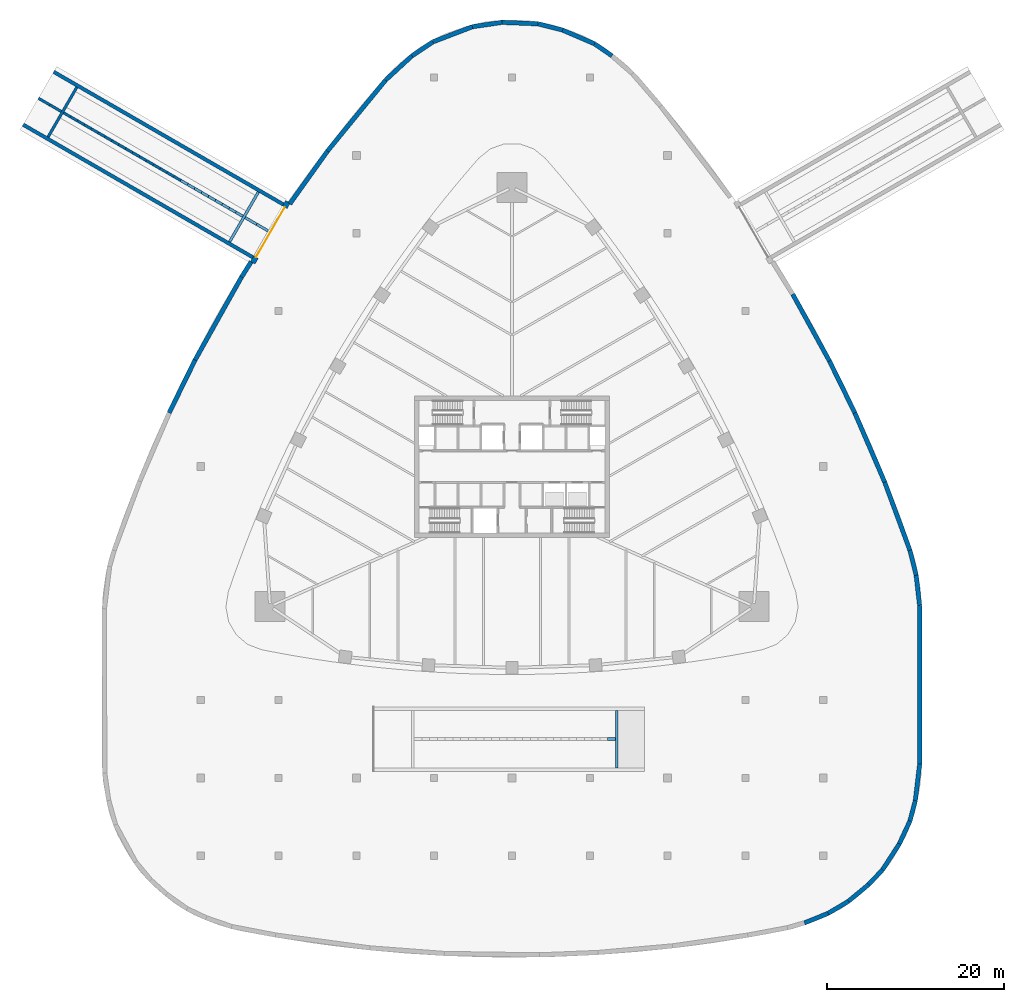
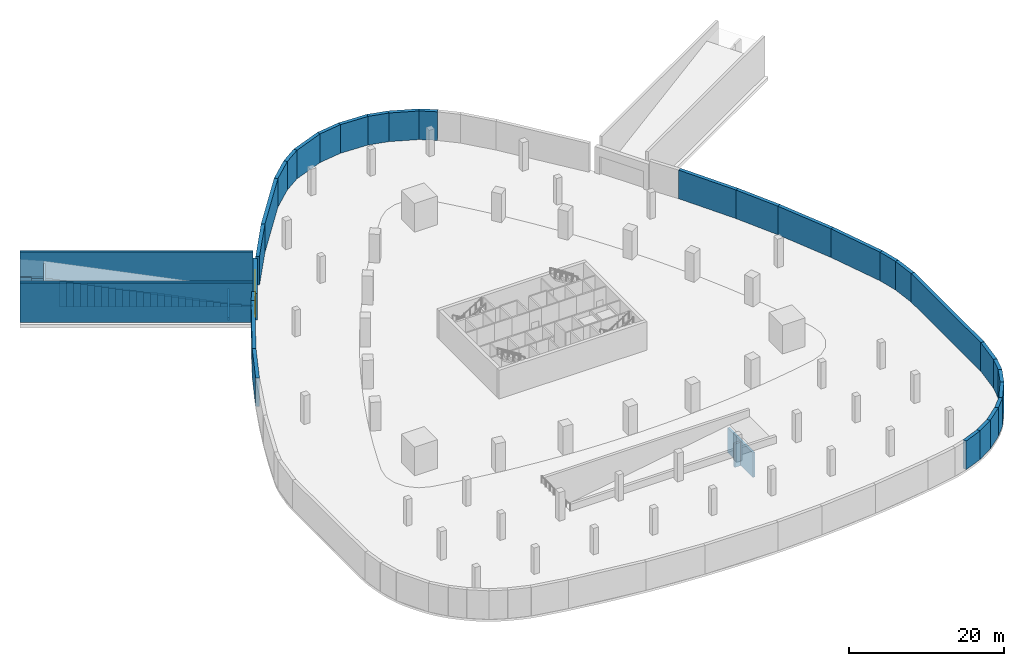
# One storey, part 6 of 10: 65 walls, 1 door, 1 opening.
"""IFC4 building model written with IfcOpenShell, lengths in metres."""

from ifc_helpers import new_model, si_unit, direction, frame, frame_2d, origin, place, context, subcontext, project, spatial, rectangle, extrude, material, layer, layer_set, type_object, element, fill, save


model = new_model("IFC4")

# Units and contexts
model_context = context("Model", 3, precision=1e-05, world=origin(), true_north=direction((0.0, 1.0)))
body_context = subcontext(model_context, "Body", "Model", "MODEL_VIEW")
ifc_project = project(units=[si_unit("LENGTHUNIT", "METRE"), si_unit("AREAUNIT", "SQUARE_METRE"), si_unit("VOLUMEUNIT", "CUBIC_METRE"), si_unit("PLANEANGLEUNIT", "RADIAN"), si_unit("MASSUNIT", "GRAM", prefix="KILO")], contexts=[model_context])

# Site, building, storey
site_placement = place(None, origin())
site = spatial("IfcSite", under=ifc_project, at=site_placement, CompositionType="ELEMENT")
building_placement = place(site_placement, origin())
building = spatial("IfcBuilding", under=site, at=building_placement, Name="Sierra Prisma Convention Tower", CompositionType="ELEMENT")
storey_placement = place(building_placement, frame((0.0, 0.0, -4.5)))
storey = spatial("IfcBuildingStorey", under=building, at=storey_placement, Name="B1", CompositionType="ELEMENT", Elevation=-4.5)

# Wall, opening, door
ifc_material_1 = material(Name="Concrete C40/50", Category="concrete")
ifc_layer_1 = layer(ifc_material_1, 0.60009765625)
ifc_layer_set_1 = layer_set([ifc_layer_1], Name="Portal wall 600")
wall_type_1 = type_object("IfcWallType", Name="Portal wall 600", PredefinedType="STANDARD", material=ifc_layer_set_1)
wall_1_placement = place(storey_placement, frame((-25.3251953125, 29.98193359375, 0.0), z_axis=(0.0, 0.0, 1.0), x_axis=(-0.49999894854, -0.866026010844, 0.0)))
wall_1 = element("IfcWall", 1, at=wall_1_placement, inside=storey, type_object=wall_type_1, Name="Car park portal wall R2", PredefinedType="STANDARD", context=body_context, shape_type="SweptSolid", body=[
    extrude(rectangle(XDim=8.0, YDim=0.60009765625, at=frame_2d((4.0, 0.0))), origin(), (0.0, 0.0, 1.0), 4.14990234375),
])
opening_placement = place(wall_1_placement, frame((0.75, 0.0, 0.0)))
opening = element("IfcOpeningElement", 2, at=opening_placement, cuts=wall_1, Name="Opening B1-D018", PredefinedType="OPENING", context=body_context, shape_type="SweptSolid", body=[
    extrude(rectangle(XDim=6.5, YDim=2.800048828125, at=frame_2d((3.25, 1.39990234375))), frame((0.0, 0.300048828125, 0.0), z_axis=(0.0, -1.0, 0.0), x_axis=(1.0, 0.0, 0.0)), (0.0, 0.0, 1.0), 0.60009765625),
])
ifc_material_2 = material(Name="Galvanised steel gate", Category="steel")
door_type = type_object("IfcDoorType", Name="Car park gate 6500 x 2800", OperationType="ROLLINGUP", PredefinedType="GATE", material=ifc_material_2)
door_placement = place(opening_placement, origin())
door = element("IfcDoor", 3, at=door_placement, inside=storey, type_object=door_type, Name="Car park gate R2", OperationType="ROLLINGUP", OverallHeight=2.800048828125, OverallWidth=6.5, PredefinedType="GATE", context=body_context, shape_type="SweptSolid", body=[
    extrude(rectangle(XDim=6.5, YDim=2.800048828125, at=frame_2d((3.25, 1.39990234375))), frame((0.0, 0.02490234375, 0.0), z_axis=(0.0, -1.0, 0.0), x_axis=(1.0, 0.0, 0.0)), (0.0, 0.0, 1.0), 0.050048828125),
])
fill(opening, door)

# Walls
ifc_material_3 = material(Name="Concrete C35/45", Category="concrete")
ifc_layer_2 = layer(ifc_material_3, 6.5)
ifc_layer_set_2 = layer_set([ifc_layer_2], Name="Ramp bearing wall 6500")
wall_type_2 = type_object("IfcWallType", Name="Ramp bearing wall 6500", PredefinedType="STANDARD", material=ifc_layer_set_2)
wall_2_placement = place(storey_placement, frame((12.0048828125, -30.800048828125, -4.5), z_axis=(0.0, 0.0, 1.0), x_axis=(-1.0, 0.0, 0.0)))
element("IfcWall", 4, at=wall_2_placement, inside=storey, type_object=wall_type_2, Name="Car park ramp R3 upper bearing wall", PredefinedType="STANDARD", context=body_context, shape_type="SweptSolid", body=[
    extrude(rectangle(XDim=0.304931640625, YDim=6.5, at=frame_2d((0.15234375, 0.0))), origin(), (0.0, 0.0, 1.0), 3.89599609375),
])
wall_3_placement = place(storey_placement, frame((-30.1787109375, 28.165283203125, -0.60009765625), z_axis=(0.0, 0.0, 1.0), x_axis=(-0.865918994041, 0.500184261807, 0.0)))
element("IfcWall", 5, at=wall_3_placement, inside=storey, type_object=wall_type_2, Name="Car park ramp R2 upper bearing wall", PredefinedType="STANDARD", context=body_context, shape_type="SweptSolid", body=[
    extrude(rectangle(XDim=0.30517578125, YDim=6.5, at=frame_2d((0.152587890625, 0.0))), origin(), (0.0, 0.0, 1.0), 0.49462890625),
])
wall_4_placement = place(storey_placement, frame((-50.7080078125, 40.017822265625, -0.60009765625), z_axis=(0.0, 0.0, 1.0), x_axis=(-0.865718564542, 0.500531084957, 0.0)))
element("IfcWall", 6, at=wall_4_placement, inside=storey, type_object=wall_type_2, Name="Car park ramp R2 lower bearing wall", PredefinedType="STANDARD", context=body_context, shape_type="SweptSolid", body=[
    extrude(rectangle(XDim=0.304931640625, YDim=6.5, at=frame_2d((0.15234375, 0.0))), origin(), (0.0, 0.0, 1.0), 4.4453125),
])
ifc_material_4 = material(Name="Concrete C35/45", Category="concrete")
ifc_layer_3 = layer(ifc_material_4, 0.300048828125)
ifc_layer_set_3 = layer_set([ifc_layer_3], Name="Ramp spine wall 300")
wall_type_3 = type_object("IfcWallType", Name="Ramp spine wall 300", PredefinedType="STANDARD", material=ifc_layer_set_3)
wall_5_placement = place(storey_placement, frame((11.699951171875, -30.800048828125, -4.5), z_axis=(0.0, 0.0, 1.0), x_axis=(-1.0, 0.0, 0.0)))
element("IfcWall", 7, at=wall_5_placement, inside=storey, type_object=wall_type_3, Name="Car park ramp R3 spine wall 1", PredefinedType="STANDARD", context=body_context, shape_type="SweptSolid", body=[
    extrude(rectangle(XDim=0.875732421875, YDim=0.300048828125, at=frame_2d((0.43798828125, 0.0))), origin(), (0.0, 0.0, 1.0), 3.69921875),
])
wall_6_placement = place(storey_placement, frame((-27.5849609375, 26.66796875, -0.60009765625), z_axis=(0.0, 0.0, 1.0), x_axis=(-0.866031096941, 0.499990139034, 0.0)))
element("IfcWall", 8, at=wall_6_placement, inside=storey, type_object=wall_type_3, Name="Car park ramp R2 spine wall 1 1", PredefinedType="STANDARD", context=body_context, shape_type="SweptSolid", body=[
    extrude(rectangle(XDim=1.5, YDim=0.300048828125, at=frame_2d((0.75, 0.0))), origin(), (0.0, 0.0, 1.0), 0.19873046875),
])
wall_7_placement = place(storey_placement, frame((-28.884033203125, 27.41796875, -0.60009765625), z_axis=(0.0, 0.0, 1.0), x_axis=(-0.866031096941, 0.499990139034, 0.0)))
element("IfcWall", 9, at=wall_7_placement, inside=storey, type_object=wall_type_3, Name="Car park ramp R2 spine wall 1 2", PredefinedType="STANDARD", context=body_context, shape_type="SweptSolid", body=[
    extrude(rectangle(XDim=1.5, YDim=0.300048828125, at=frame_2d((0.75, 0.0))), origin(), (0.0, 0.0, 1.0), 0.32373046875),
])
wall_8_placement = place(storey_placement, frame((-30.44287109375, 28.31787109375, -0.60009765625), z_axis=(0.0, 0.0, 1.0), x_axis=(-0.866081705922, 0.499902469156, 0.0)))
element("IfcWall", 10, at=wall_8_placement, inside=storey, type_object=wall_type_3, Name="Car park ramp R2 spine wall 2 1", PredefinedType="STANDARD", context=body_context, shape_type="SweptSolid", body=[
    extrude(rectangle(XDim=0.900146484375, YDim=0.300048828125, at=frame_2d((0.4501953125, 0.0))), origin(), (0.0, 0.0, 1.0), 0.49462890625),
])
wall_9_placement = place(storey_placement, frame((-31.222412109375, 28.767822265625, -0.60009765625), z_axis=(0.0, 0.0, 1.0), x_axis=(-0.865896406789, 0.500223362819, 0.0)))
element("IfcWall", 11, at=wall_9_placement, inside=storey, type_object=wall_type_3, Name="Car park ramp R2 spine wall 2 2", PredefinedType="STANDARD", context=body_context, shape_type="SweptSolid", body=[
    extrude(rectangle(XDim=0.89990234375, YDim=0.300048828125, at=frame_2d((0.449951171875, 0.0))), origin(), (0.0, 0.0, 1.0), 0.64453125),
])
wall_10_placement = place(storey_placement, frame((-32.001708984375, 29.218017578125, -0.60009765625), z_axis=(0.0, 0.0, 1.0), x_axis=(-0.866081705922, 0.499902469156, 0.0)))
element("IfcWall", 12, at=wall_10_placement, inside=storey, type_object=wall_type_3, Name="Car park ramp R2 spine wall 2 3", PredefinedType="STANDARD", context=body_context, shape_type="SweptSolid", body=[
    extrude(rectangle(XDim=0.900146484375, YDim=0.300048828125, at=frame_2d((0.4501953125, 0.0))), origin(), (0.0, 0.0, 1.0), 0.794677734375),
])
wall_11_placement = place(storey_placement, frame((-32.78125, 29.66796875, -0.60009765625), z_axis=(0.0, 0.0, 1.0), x_axis=(-0.866013897511, 0.50001992892, 0.0)))
element("IfcWall", 13, at=wall_11_placement, inside=storey, type_object=wall_type_3, Name="Car park ramp R2 spine wall 2 4", PredefinedType="STANDARD", context=body_context, shape_type="SweptSolid", body=[
    extrude(rectangle(XDim=0.89990234375, YDim=0.300048828125, at=frame_2d((0.449951171875, 0.0))), origin(), (0.0, 0.0, 1.0), 0.944580078125),
])
wall_12_placement = place(storey_placement, frame((-33.560546875, 30.117919921875, -0.60009765625), z_axis=(0.0, 0.0, 1.0), x_axis=(-0.866081705922, 0.499902469156, 0.0)))
element("IfcWall", 14, at=wall_12_placement, inside=storey, type_object=wall_type_3, Name="Car park ramp R2 spine wall 2 5", PredefinedType="STANDARD", context=body_context, shape_type="SweptSolid", body=[
    extrude(rectangle(XDim=0.900146484375, YDim=0.300048828125, at=frame_2d((0.4501953125, 0.0))), origin(), (0.0, 0.0, 1.0), 1.094482421875),
])
wall_13_placement = place(storey_placement, frame((-34.340087890625, 30.56787109375, -0.60009765625), z_axis=(0.0, 0.0, 1.0), x_axis=(-0.866013897511, 0.50001992892, 0.0)))
element("IfcWall", 15, at=wall_13_placement, inside=storey, type_object=wall_type_3, Name="Car park ramp R2 spine wall 2 6", PredefinedType="STANDARD", context=body_context, shape_type="SweptSolid", body=[
    extrude(rectangle(XDim=0.89990234375, YDim=0.300048828125, at=frame_2d((0.449951171875, 0.0))), origin(), (0.0, 0.0, 1.0), 1.24462890625),
])
wall_14_placement = place(storey_placement, frame((-35.119384765625, 31.017822265625, -0.60009765625), z_axis=(0.0, 0.0, 1.0), x_axis=(-0.865896406789, 0.500223362819, 0.0)))
element("IfcWall", 16, at=wall_14_placement, inside=storey, type_object=wall_type_3, Name="Car park ramp R2 spine wall 2 7", PredefinedType="STANDARD", context=body_context, shape_type="SweptSolid", body=[
    extrude(rectangle(XDim=0.89990234375, YDim=0.300048828125, at=frame_2d((0.449951171875, 0.0))), origin(), (0.0, 0.0, 1.0), 1.39453125),
])
wall_15_placement = place(storey_placement, frame((-35.898681640625, 31.468017578125, -0.60009765625), z_axis=(0.0, 0.0, 1.0), x_axis=(-0.866081705922, 0.499902469156, 0.0)))
element("IfcWall", 17, at=wall_15_placement, inside=storey, type_object=wall_type_3, Name="Car park ramp R2 spine wall 2 8", PredefinedType="STANDARD", context=body_context, shape_type="SweptSolid", body=[
    extrude(rectangle(XDim=0.900146484375, YDim=0.300048828125, at=frame_2d((0.4501953125, 0.0))), origin(), (0.0, 0.0, 1.0), 1.544677734375),
])
wall_16_placement = place(storey_placement, frame((-36.67822265625, 31.91796875, -0.60009765625), z_axis=(0.0, 0.0, 1.0), x_axis=(-0.866081705922, 0.499902469156, 0.0)))
element("IfcWall", 18, at=wall_16_placement, inside=storey, type_object=wall_type_3, Name="Car park ramp R2 spine wall 2 9", PredefinedType="STANDARD", context=body_context, shape_type="SweptSolid", body=[
    extrude(rectangle(XDim=0.900146484375, YDim=0.300048828125, at=frame_2d((0.4501953125, 0.0))), origin(), (0.0, 0.0, 1.0), 1.694580078125),
])
wall_17_placement = place(storey_placement, frame((-37.457763671875, 32.367919921875, -0.60009765625), z_axis=(0.0, 0.0, 1.0), x_axis=(-0.866013897511, 0.50001992892, 0.0)))
element("IfcWall", 19, at=wall_17_placement, inside=storey, type_object=wall_type_3, Name="Car park ramp R2 spine wall 2 10", PredefinedType="STANDARD", context=body_context, shape_type="SweptSolid", body=[
    extrude(rectangle(XDim=0.89990234375, YDim=0.300048828125, at=frame_2d((0.449951171875, 0.0))), origin(), (0.0, 0.0, 1.0), 1.844482421875),
])
wall_18_placement = place(storey_placement, frame((-38.237060546875, 32.81787109375, -0.60009765625), z_axis=(0.0, 0.0, 1.0), x_axis=(-0.866081705922, 0.499902469156, 0.0)))
element("IfcWall", 20, at=wall_18_placement, inside=storey, type_object=wall_type_3, Name="Car park ramp R2 spine wall 2 11", PredefinedType="STANDARD", context=body_context, shape_type="SweptSolid", body=[
    extrude(rectangle(XDim=0.900146484375, YDim=0.300048828125, at=frame_2d((0.4501953125, 0.0))), origin(), (0.0, 0.0, 1.0), 1.99462890625),
])
wall_19_placement = place(storey_placement, frame((-39.0166015625, 33.267822265625, -0.60009765625), z_axis=(0.0, 0.0, 1.0), x_axis=(-0.865896406789, 0.500223362819, 0.0)))
element("IfcWall", 21, at=wall_19_placement, inside=storey, type_object=wall_type_3, Name="Car park ramp R2 spine wall 2 12", PredefinedType="STANDARD", context=body_context, shape_type="SweptSolid", body=[
    extrude(rectangle(XDim=0.89990234375, YDim=0.300048828125, at=frame_2d((0.449951171875, 0.0))), origin(), (0.0, 0.0, 1.0), 2.14453125),
])
wall_20_placement = place(storey_placement, frame((-39.7958984375, 33.718017578125, -0.60009765625), z_axis=(0.0, 0.0, 1.0), x_axis=(-0.866081705922, 0.499902469156, 0.0)))
element("IfcWall", 22, at=wall_20_placement, inside=storey, type_object=wall_type_3, Name="Car park ramp R2 spine wall 2 13", PredefinedType="STANDARD", context=body_context, shape_type="SweptSolid", body=[
    extrude(rectangle(XDim=0.900146484375, YDim=0.300048828125, at=frame_2d((0.4501953125, 0.0))), origin(), (0.0, 0.0, 1.0), 2.294677734375),
])
wall_21_placement = place(storey_placement, frame((-40.575439453125, 34.16796875, -0.60009765625), z_axis=(0.0, 0.0, 1.0), x_axis=(-0.866013897511, 0.50001992892, 0.0)))
element("IfcWall", 23, at=wall_21_placement, inside=storey, type_object=wall_type_3, Name="Car park ramp R2 spine wall 2 14", PredefinedType="STANDARD", context=body_context, shape_type="SweptSolid", body=[
    extrude(rectangle(XDim=0.89990234375, YDim=0.300048828125, at=frame_2d((0.449951171875, 0.0))), origin(), (0.0, 0.0, 1.0), 2.444580078125),
])
wall_22_placement = place(storey_placement, frame((-41.354736328125, 34.617919921875, -0.60009765625), z_axis=(0.0, 0.0, 1.0), x_axis=(-0.866081705922, 0.499902469156, 0.0)))
element("IfcWall", 24, at=wall_22_placement, inside=storey, type_object=wall_type_3, Name="Car park ramp R2 spine wall 2 15", PredefinedType="STANDARD", context=body_context, shape_type="SweptSolid", body=[
    extrude(rectangle(XDim=0.900146484375, YDim=0.300048828125, at=frame_2d((0.4501953125, 0.0))), origin(), (0.0, 0.0, 1.0), 2.594482421875),
])
wall_23_placement = place(storey_placement, frame((-42.13427734375, 35.06787109375, -0.60009765625), z_axis=(0.0, 0.0, 1.0), x_axis=(-0.866081705922, 0.499902469156, 0.0)))
element("IfcWall", 25, at=wall_23_placement, inside=storey, type_object=wall_type_3, Name="Car park ramp R2 spine wall 2 16", PredefinedType="STANDARD", context=body_context, shape_type="SweptSolid", body=[
    extrude(rectangle(XDim=0.900146484375, YDim=0.300048828125, at=frame_2d((0.4501953125, 0.0))), origin(), (0.0, 0.0, 1.0), 2.74462890625),
])
wall_24_placement = place(storey_placement, frame((-42.913818359375, 35.517822265625, -0.60009765625), z_axis=(0.0, 0.0, 1.0), x_axis=(-0.865896406789, 0.500223362819, 0.0)))
element("IfcWall", 26, at=wall_24_placement, inside=storey, type_object=wall_type_3, Name="Car park ramp R2 spine wall 2 17", PredefinedType="STANDARD", context=body_context, shape_type="SweptSolid", body=[
    extrude(rectangle(XDim=0.89990234375, YDim=0.300048828125, at=frame_2d((0.449951171875, 0.0))), origin(), (0.0, 0.0, 1.0), 2.89453125),
])
wall_25_placement = place(storey_placement, frame((-43.693115234375, 35.968017578125, -0.60009765625), z_axis=(0.0, 0.0, 1.0), x_axis=(-0.866013897511, 0.50001992892, 0.0)))
element("IfcWall", 27, at=wall_25_placement, inside=storey, type_object=wall_type_3, Name="Car park ramp R2 spine wall 2 18", PredefinedType="STANDARD", context=body_context, shape_type="SweptSolid", body=[
    extrude(rectangle(XDim=0.89990234375, YDim=0.300048828125, at=frame_2d((0.449951171875, 0.0))), origin(), (0.0, 0.0, 1.0), 3.044677734375),
])
wall_26_placement = place(storey_placement, frame((-44.472412109375, 36.41796875, -0.60009765625), z_axis=(0.0, 0.0, 1.0), x_axis=(-0.866081705922, 0.499902469156, 0.0)))
element("IfcWall", 28, at=wall_26_placement, inside=storey, type_object=wall_type_3, Name="Car park ramp R2 spine wall 2 19", PredefinedType="STANDARD", context=body_context, shape_type="SweptSolid", body=[
    extrude(rectangle(XDim=0.900146484375, YDim=0.300048828125, at=frame_2d((0.4501953125, 0.0))), origin(), (0.0, 0.0, 1.0), 3.194580078125),
])
wall_27_placement = place(storey_placement, frame((-45.251953125, 36.867919921875, -0.60009765625), z_axis=(0.0, 0.0, 1.0), x_axis=(-0.866013897511, 0.50001992892, 0.0)))
element("IfcWall", 29, at=wall_27_placement, inside=storey, type_object=wall_type_3, Name="Car park ramp R2 spine wall 2 20", PredefinedType="STANDARD", context=body_context, shape_type="SweptSolid", body=[
    extrude(rectangle(XDim=0.89990234375, YDim=0.300048828125, at=frame_2d((0.449951171875, 0.0))), origin(), (0.0, 0.0, 1.0), 3.344482421875),
])
wall_28_placement = place(storey_placement, frame((-46.03125, 37.31787109375, -0.60009765625), z_axis=(0.0, 0.0, 1.0), x_axis=(-0.866081705922, 0.499902469156, 0.0)))
element("IfcWall", 30, at=wall_28_placement, inside=storey, type_object=wall_type_3, Name="Car park ramp R2 spine wall 2 21", PredefinedType="STANDARD", context=body_context, shape_type="SweptSolid", body=[
    extrude(rectangle(XDim=0.900146484375, YDim=0.300048828125, at=frame_2d((0.4501953125, 0.0))), origin(), (0.0, 0.0, 1.0), 3.49462890625),
])
wall_29_placement = place(storey_placement, frame((-46.810791015625, 37.767822265625, -0.60009765625), z_axis=(0.0, 0.0, 1.0), x_axis=(-0.865896406789, 0.500223362819, 0.0)))
element("IfcWall", 31, at=wall_29_placement, inside=storey, type_object=wall_type_3, Name="Car park ramp R2 spine wall 2 22", PredefinedType="STANDARD", context=body_context, shape_type="SweptSolid", body=[
    extrude(rectangle(XDim=0.89990234375, YDim=0.300048828125, at=frame_2d((0.449951171875, 0.0))), origin(), (0.0, 0.0, 1.0), 3.64453125),
])
wall_30_placement = place(storey_placement, frame((-47.590087890625, 38.218017578125, -0.60009765625), z_axis=(0.0, 0.0, 1.0), x_axis=(-0.866081705922, 0.499902469156, 0.0)))
element("IfcWall", 32, at=wall_30_placement, inside=storey, type_object=wall_type_3, Name="Car park ramp R2 spine wall 2 23", PredefinedType="STANDARD", context=body_context, shape_type="SweptSolid", body=[
    extrude(rectangle(XDim=0.900146484375, YDim=0.300048828125, at=frame_2d((0.4501953125, 0.0))), origin(), (0.0, 0.0, 1.0), 3.794677734375),
])
wall_31_placement = place(storey_placement, frame((-48.36962890625, 38.66796875, -0.60009765625), z_axis=(0.0, 0.0, 1.0), x_axis=(-0.866013897511, 0.50001992892, 0.0)))
element("IfcWall", 33, at=wall_31_placement, inside=storey, type_object=wall_type_3, Name="Car park ramp R2 spine wall 2 24", PredefinedType="STANDARD", context=body_context, shape_type="SweptSolid", body=[
    extrude(rectangle(XDim=0.89990234375, YDim=0.300048828125, at=frame_2d((0.449951171875, 0.0))), origin(), (0.0, 0.0, 1.0), 3.944580078125),
])
wall_32_placement = place(storey_placement, frame((-49.14892578125, 39.117919921875, -0.60009765625), z_axis=(0.0, 0.0, 1.0), x_axis=(-0.866081705922, 0.499902469156, 0.0)))
element("IfcWall", 34, at=wall_32_placement, inside=storey, type_object=wall_type_3, Name="Car park ramp R2 spine wall 2 25", PredefinedType="STANDARD", context=body_context, shape_type="SweptSolid", body=[
    extrude(rectangle(XDim=0.900146484375, YDim=0.300048828125, at=frame_2d((0.4501953125, 0.0))), origin(), (0.0, 0.0, 1.0), 4.094482421875),
])
wall_33_placement = place(storey_placement, frame((-49.928466796875, 39.56787109375, -0.60009765625), z_axis=(0.0, 0.0, 1.0), x_axis=(-0.866081705922, 0.499902469156, 0.0)))
element("IfcWall", 35, at=wall_33_placement, inside=storey, type_object=wall_type_3, Name="Car park ramp R2 spine wall 2 26", PredefinedType="STANDARD", context=body_context, shape_type="SweptSolid", body=[
    extrude(rectangle(XDim=0.900146484375, YDim=0.300048828125, at=frame_2d((0.4501953125, 0.0))), origin(), (0.0, 0.0, 1.0), 4.24462890625),
])
wall_34_placement = place(storey_placement, frame((-50.9677734375, 40.16796875, -0.60009765625), z_axis=(0.0, 0.0, 1.0), x_axis=(-0.86599040064, 0.500060622324, 0.0)))
element("IfcWall", 36, at=wall_34_placement, inside=storey, type_object=wall_type_3, Name="Car park ramp R2 spine wall 3 1", PredefinedType="STANDARD", context=body_context, shape_type="SweptSolid", body=[
    extrude(rectangle(XDim=1.499755859375, YDim=0.300048828125, at=frame_2d((0.75, 0.0))), origin(), (0.0, 0.0, 1.0), 4.44873046875),
])
wall_35_placement = place(storey_placement, frame((-52.2666015625, 40.91796875, -0.60009765625), z_axis=(0.0, 0.0, 1.0), x_axis=(-0.866071776036, 0.499919672301, 0.0)))
element("IfcWall", 37, at=wall_35_placement, inside=storey, type_object=wall_type_3, Name="Car park ramp R2 spine wall 3 2", PredefinedType="STANDARD", context=body_context, shape_type="SweptSolid", body=[
    extrude(rectangle(XDim=1.500244140625, YDim=0.300048828125, at=frame_2d((0.75, 0.0))), origin(), (0.0, 0.0, 1.0), 4.57373046875),
])
ifc_material_5 = material(Name="Concrete C35/45", Category="concrete")
ifc_layer_4 = layer(ifc_material_5, 0.39990234375)
ifc_layer_set_4 = layer_set([ifc_layer_4], Name="Retaining wall 400")
wall_type_4 = type_object("IfcWallType", Name="Retaining wall 400", PredefinedType="STANDARD", material=ifc_layer_set_4)
for number, where, z_axis, x_axis, name in (
    (38, (-29.31005859375, 23.68017578125, -0.60009765625), (0.0, 0.0, 1.0), (-0.866024993593, 0.500000710472, 0.0), "Car park ramp R2 retaining wall left"),
    (39, (-25.860107421875, 29.65576171875, -0.60009765625), (0.0, 0.0, 1.0), (-0.866024993593, 0.500000710472, 0.0), "Car park ramp R2 retaining wall right"),
):
    element("IfcWall", number, at=place(storey_placement, frame(where, z_axis=z_axis, x_axis=x_axis)), inside=storey, type_object=wall_type_4, Name=name, PredefinedType="STANDARD", context=body_context, shape_type="SweptSolid", body=[
        extrude(rectangle(XDim=30.0, YDim=0.39990234375, at=frame_2d((15.0, 0.0))), origin(), (0.0, 0.0, 1.0), 6.2001953125),
    ])
ifc_material_6 = material(Name="Concrete C40/50", Category="concrete")
ifc_layer_5 = layer(ifc_material_6, 0.5)
ifc_layer_set_5 = layer_set([ifc_layer_5], Name="Retaining wall 500")
wall_type_5 = type_object("IfcWallType", Name="Retaining wall 500", PredefinedType="SOLIDWALL", material=ifc_layer_set_5)
wall_36_placement = place(storey_placement, frame((-38.768310546875, 6.09033203125, 0.0), z_axis=(0.0, 0.0, 1.0), x_axis=(0.439782855353, 0.898104136578, 0.0)))
element("IfcWall", 40, at=wall_36_placement, inside=storey, type_object=wall_type_5, Name="Retaining wall B1 18", PredefinedType="SOLIDWALL", context=body_context, shape_type="SweptSolid", body=[
    extrude(rectangle(XDim=6.650634765625, YDim=0.5, at=frame_2d((3.3251953125, 0.0))), origin(), (0.0, 0.0, 1.0), 4.5),
])
wall_37_placement = place(storey_placement, frame((-35.843505859375, 12.063232421875, 0.0), z_axis=(0.0, 0.0, 1.0), x_axis=(0.488508776482, 0.872558980986, 0.0)))
element("IfcWall", 41, at=wall_37_placement, inside=storey, type_object=wall_type_5, Name="Retaining wall B1 19", PredefinedType="SOLIDWALL", context=body_context, shape_type="SweptSolid", body=[
    extrude(rectangle(XDim=10.767578125, YDim=0.5, at=frame_2d((5.3837890625, 0.0))), origin(), (0.0, 0.0, 1.0), 4.5),
])
wall_38_placement = place(storey_placement, frame((-20.876708984375, 35.68408203125, 0.0), z_axis=(0.0, 0.0, 1.0), x_axis=(0.633564048213, 0.773690246036, 0.0)))
element("IfcWall", 42, at=wall_38_placement, inside=storey, type_object=wall_type_5, Name="Retaining wall B1 22", PredefinedType="SOLIDWALL", context=body_context, shape_type="SweptSolid", body=[
    extrude(rectangle(XDim=10.38916015625, YDim=0.5, at=frame_2d((5.194580078125, 0.0))), origin(), (0.0, 0.0, 1.0), 4.5),
])
wall_39_placement = place(storey_placement, frame((-14.29443359375, 43.72216796875, 0.0), z_axis=(0.0, 0.0, 1.0), x_axis=(0.736686128107, 0.676234832477, 0.0)))
element("IfcWall", 43, at=wall_39_placement, inside=storey, type_object=wall_type_5, Name="Retaining wall B1 23", PredefinedType="SOLIDWALL", context=body_context, shape_type="SweptSolid", body=[
    extrude(rectangle(XDim=4.05078125, YDim=0.5, at=frame_2d((2.025390625, 0.0))), origin(), (0.0, 0.0, 1.0), 4.5),
])
wall_40_placement = place(storey_placement, frame((-11.310302734375, 46.46142578125, 0.0), z_axis=(0.0, 0.0, 1.0), x_axis=(0.831494900489, 0.555532384709, 0.0)))
element("IfcWall", 44, at=wall_40_placement, inside=storey, type_object=wall_type_5, Name="Retaining wall B1 24", PredefinedType="SOLIDWALL", context=body_context, shape_type="SweptSolid", body=[
    extrude(rectangle(XDim=2.842529296875, YDim=0.5, at=frame_2d((1.42138671875, 0.0))), origin(), (0.0, 0.0, 1.0), 4.5),
])
wall_41_placement = place(storey_placement, frame((-8.94677734375, 48.04052734375, 0.0), z_axis=(0.0, 0.0, 1.0), x_axis=(0.933667147411, 0.358141952089, 0.0)))
element("IfcWall", 45, at=wall_41_placement, inside=storey, type_object=wall_type_5, Name="Retaining wall B1 25", PredefinedType="SOLIDWALL", context=body_context, shape_type="SweptSolid", body=[
    extrude(rectangle(XDim=4.788818359375, YDim=0.5, at=frame_2d((2.39453125, 0.0))), origin(), (0.0, 0.0, 1.0), 4.5),
])
wall_42_placement = place(storey_placement, frame((-4.4755859375, 49.755615234375, 0.0), z_axis=(0.0, 0.0, 1.0), x_axis=(0.989368277688, 0.14543180912, 0.0)))
element("IfcWall", 46, at=wall_42_placement, inside=storey, type_object=wall_type_5, Name="Retaining wall B1 26", PredefinedType="SOLIDWALL", context=body_context, shape_type="SweptSolid", body=[
    extrude(rectangle(XDim=3.39111328125, YDim=0.5, at=frame_2d((1.695556640625, 0.0))), origin(), (0.0, 0.0, 1.0), 4.5),
])
wall_43_placement = place(storey_placement, frame((-1.12060546875, 50.248779296875, 0.0), z_axis=(0.0, 0.0, 1.0), x_axis=(0.99916110783, -0.040952174547, 0.0)))
element("IfcWall", 47, at=wall_43_placement, inside=storey, type_object=wall_type_5, Name="Retaining wall B1 27", PredefinedType="SOLIDWALL", context=body_context, shape_type="SweptSolid", body=[
    extrude(rectangle(XDim=4.07177734375, YDim=0.5, at=frame_2d((2.035888671875, 0.0))), origin(), (0.0, 0.0, 1.0), 4.5),
])
wall_44_placement = place(storey_placement, frame((2.94775390625, 50.08203125, 0.0), z_axis=(0.0, 0.0, 1.0), x_axis=(0.969185557101, -0.246331800436, 0.0)))
element("IfcWall", 48, at=wall_44_placement, inside=storey, type_object=wall_type_5, Name="Retaining wall B1 28", PredefinedType="SOLIDWALL", context=body_context, shape_type="SweptSolid", body=[
    extrude(rectangle(XDim=2.843505859375, YDim=0.5, at=frame_2d((1.421875, 0.0))), origin(), (0.0, 0.0, 1.0), 4.5),
])
wall_45_placement = place(storey_placement, frame((5.70361328125, 49.381591796875, 0.0), z_axis=(0.0, 0.0, 1.0), x_axis=(0.918921314663, -0.394440892223, 0.0)))
element("IfcWall", 49, at=wall_45_placement, inside=storey, type_object=wall_type_5, Name="Retaining wall B1 29", PredefinedType="SOLIDWALL", context=body_context, shape_type="SweptSolid", body=[
    extrude(rectangle(XDim=3.953857421875, YDim=0.5, at=frame_2d((1.97705078125, 0.0))), origin(), (0.0, 0.0, 1.0), 4.5),
])
wall_46_placement = place(storey_placement, frame((9.3369140625, 47.822021484375, 0.0), z_axis=(0.0, 0.0, 1.0), x_axis=(0.823286618334, -0.567625883899, 0.0)))
element("IfcWall", 50, at=wall_46_placement, inside=storey, type_object=wall_type_5, Name="Retaining wall B1 30", PredefinedType="SOLIDWALL", context=body_context, shape_type="SweptSolid", body=[
    extrude(rectangle(XDim=2.39794921875, YDim=0.5, at=frame_2d((1.198974609375, 0.0))), origin(), (0.0, 0.0, 1.0), 4.5),
])
wall_47_placement = place(storey_placement, frame((31.748291015625, 19.5029296875, 0.0), z_axis=(0.0, 0.0, 1.0), x_axis=(0.481899167074, -0.876226678876, 0.0)))
element("IfcWall", 51, at=wall_47_placement, inside=storey, type_object=wall_type_5, Name="Retaining wall B1 36", PredefinedType="SOLIDWALL", context=body_context, shape_type="SweptSolid", body=[
    extrude(rectangle(XDim=8.614501953125, YDim=0.5, at=frame_2d((4.30712890625, 0.0))), origin(), (0.0, 0.0, 1.0), 4.5),
])
wall_48_placement = place(storey_placement, frame((35.899658203125, 11.95458984375, 0.0), z_axis=(0.0, 0.0, 1.0), x_axis=(0.439418048526, -0.898282683029, 0.0)))
element("IfcWall", 52, at=wall_48_placement, inside=storey, type_object=wall_type_5, Name="Retaining wall B1 37", PredefinedType="SOLIDWALL", context=body_context, shape_type="SweptSolid", body=[
    extrude(rectangle(XDim=6.5283203125, YDim=0.5, at=frame_2d((3.26416015625, 0.0))), origin(), (0.0, 0.0, 1.0), 4.5),
])
wall_49_placement = place(storey_placement, frame((38.768310546875, 6.09033203125, 0.0), z_axis=(0.0, 0.0, 1.0), x_axis=(0.396224264914, -0.918153762664, 0.0)))
element("IfcWall", 53, at=wall_49_placement, inside=storey, type_object=wall_type_5, Name="Retaining wall B1 38", PredefinedType="SOLIDWALL", context=body_context, shape_type="SweptSolid", body=[
    extrude(rectangle(XDim=8.54736328125, YDim=0.5, at=frame_2d((4.273681640625, 0.0))), origin(), (0.0, 0.0, 1.0), 4.5),
])
wall_50_placement = place(storey_placement, frame((42.155029296875, -1.757568359375, 0.0), z_axis=(0.0, 0.0, 1.0), x_axis=(0.346876937077, -0.937910651674, 0.0)))
element("IfcWall", 54, at=wall_50_placement, inside=storey, type_object=wall_type_5, Name="Retaining wall B1 39", PredefinedType="SOLIDWALL", context=body_context, shape_type="SweptSolid", body=[
    extrude(rectangle(XDim=8.2353515625, YDim=0.5, at=frame_2d((4.11767578125, 0.0))), origin(), (0.0, 0.0, 1.0), 4.5),
])
wall_51_placement = place(storey_placement, frame((45.01171875, -9.481689453125, 0.0), z_axis=(0.0, 0.0, 1.0), x_axis=(0.242335829441, -0.970192427186, 0.0)))
element("IfcWall", 55, at=wall_51_placement, inside=storey, type_object=wall_type_5, Name="Retaining wall B1 40", PredefinedType="SOLIDWALL", context=body_context, shape_type="SweptSolid", body=[
    extrude(rectangle(XDim=2.875244140625, YDim=0.5, at=frame_2d((1.4375, 0.0))), origin(), (0.0, 0.0, 1.0), 4.5),
])
wall_52_placement = place(storey_placement, frame((45.70849609375, -12.271240234375, 0.0), z_axis=(0.0, 0.0, 1.0), x_axis=(0.113347670979, -0.993555386218, 0.0)))
element("IfcWall", 56, at=wall_52_placement, inside=storey, type_object=wall_type_5, Name="Retaining wall B1 41", PredefinedType="SOLIDWALL", context=body_context, shape_type="SweptSolid", body=[
    extrude(rectangle(XDim=3.4267578125, YDim=0.5, at=frame_2d((1.71337890625, 0.0))), origin(), (0.0, 0.0, 1.0), 4.5),
])
wall_53_placement = place(storey_placement, frame((46.096923828125, -15.676025390625, 0.0), z_axis=(0.0, 0.0, 1.0), x_axis=(0.00042159659, -0.999999911128, 0.0)))
element("IfcWall", 57, at=wall_53_placement, inside=storey, type_object=wall_type_5, Name="Retaining wall B1 42", PredefinedType="SOLIDWALL", context=body_context, shape_type="SweptSolid", body=[
    extrude(rectangle(XDim=17.95166015625, YDim=0.5, at=frame_2d((8.975830078125, 0.0))), origin(), (0.0, 0.0, 1.0), 4.5),
])
wall_54_placement = place(storey_placement, frame((46.1044921875, -33.627685546875, 0.0), z_axis=(0.0, 0.0, 1.0), x_axis=(-0.117332368517, -0.993092702268, 0.0)))
element("IfcWall", 58, at=wall_54_placement, inside=storey, type_object=wall_type_5, Name="Retaining wall B1 43", PredefinedType="SOLIDWALL", context=body_context, shape_type="SweptSolid", body=[
    extrude(rectangle(XDim=4.1533203125, YDim=0.5, at=frame_2d((2.07666015625, 0.0))), origin(), (0.0, 0.0, 1.0), 4.5),
])
wall_55_placement = place(storey_placement, frame((45.6171875, -37.752197265625, 0.0), z_axis=(0.0, 0.0, 1.0), x_axis=(-0.256984247346, -0.96641559208, 0.0)))
element("IfcWall", 59, at=wall_55_placement, inside=storey, type_object=wall_type_5, Name="Retaining wall B1 44", PredefinedType="SOLIDWALL", context=body_context, shape_type="SweptSolid", body=[
    extrude(rectangle(XDim=2.39697265625, YDim=0.5, at=frame_2d((1.198486328125, 0.0))), origin(), (0.0, 0.0, 1.0), 4.5),
])
wall_56_placement = place(storey_placement, frame((45.001220703125, -40.068603515625, 0.0), z_axis=(0.0, 0.0, 1.0), x_axis=(-0.419248732982, -0.907871411541, 0.0)))
element("IfcWall", 60, at=wall_56_placement, inside=storey, type_object=wall_type_5, Name="Retaining wall B1 45", PredefinedType="SOLIDWALL", context=body_context, shape_type="SweptSolid", body=[
    extrude(rectangle(XDim=2.843505859375, YDim=0.5, at=frame_2d((1.421875, 0.0))), origin(), (0.0, 0.0, 1.0), 4.5),
])
wall_57_placement = place(storey_placement, frame((43.80908203125, -42.650146484375, 0.0), z_axis=(0.0, 0.0, 1.0), x_axis=(-0.544416054245, -0.838815331214, 0.0)))
element("IfcWall", 61, at=wall_57_placement, inside=storey, type_object=wall_type_5, Name="Retaining wall B1 46", PredefinedType="SOLIDWALL", context=body_context, shape_type="SweptSolid", body=[
    extrude(rectangle(XDim=3.509521484375, YDim=0.5, at=frame_2d((1.7548828125, 0.0))), origin(), (0.0, 0.0, 1.0), 4.5),
])
wall_58_placement = place(storey_placement, frame((41.8984375, -45.593994140625, 0.0), z_axis=(0.0, 0.0, 1.0), x_axis=(-0.686862366834, -0.726787512982, 0.0)))
element("IfcWall", 62, at=wall_58_placement, inside=storey, type_object=wall_type_5, Name="Retaining wall B1 47", PredefinedType="SOLIDWALL", context=body_context, shape_type="SweptSolid", body=[
    extrude(rectangle(XDim=2.28076171875, YDim=0.5, at=frame_2d((1.140380859375, 0.0))), origin(), (0.0, 0.0, 1.0), 4.5),
])
wall_59_placement = place(storey_placement, frame((40.331787109375, -47.251708984375, 0.0), z_axis=(0.0, 0.0, 1.0), x_axis=(-0.769071379737, -0.639162900105, 0.0)))
element("IfcWall", 63, at=wall_59_placement, inside=storey, type_object=wall_type_5, Name="Retaining wall B1 48", PredefinedType="SOLIDWALL", context=body_context, shape_type="SweptSolid", body=[
    extrude(rectangle(XDim=2.963623046875, YDim=0.5, at=frame_2d((1.48193359375, 0.0))), origin(), (0.0, 0.0, 1.0), 4.5),
])
wall_60_placement = place(storey_placement, frame((38.052490234375, -49.14599609375, 0.0), z_axis=(0.0, 0.0, 1.0), x_axis=(-0.859182809337, -0.511668740632, 0.0)))
element("IfcWall", 64, at=wall_60_placement, inside=storey, type_object=wall_type_5, Name="Retaining wall B1 49", PredefinedType="SOLIDWALL", context=body_context, shape_type="SweptSolid", body=[
    extrude(rectangle(XDim=2.669677734375, YDim=0.5, at=frame_2d((1.3349609375, 0.0))), origin(), (0.0, 0.0, 1.0), 4.5),
])
wall_61_placement = place(storey_placement, frame((35.7587890625, -50.511962890625, 0.0), z_axis=(0.0, 0.0, 1.0), x_axis=(-0.927327867506, -0.374249951433, 0.0)))
element("IfcWall", 65, at=wall_61_placement, inside=storey, type_object=wall_type_5, Name="Retaining wall B1 50", PredefinedType="SOLIDWALL", context=body_context, shape_type="SweptSolid", body=[
    extrude(rectangle(XDim=2.8984375, YDim=0.5, at=frame_2d((1.44921875, 0.0))), origin(), (0.0, 0.0, 1.0), 4.5),
])
wall_62_placement = place(storey_placement, frame((-30.58349609375, 21.45849609375, 0.0), z_axis=(0.0, 0.0, 1.0), x_axis=(0.535375299504, 0.844614283967, 0.0)))
element("IfcWall", 66, at=wall_62_placement, inside=storey, type_object=wall_type_5, Name="Retaining wall B1 20", PredefinedType="SOLIDWALL", context=body_context, shape_type="SweptSolid", body=[
    extrude(rectangle(XDim=2.012451171875, YDim=0.5, at=frame_2d((1.00634765625, 0.0))), origin(), (0.0, 0.0, 1.0), 4.5),
])
wall_63_placement = place(storey_placement, frame((-25.135009765625, 29.711181640625, 0.0), z_axis=(0.0, 0.0, 1.0), x_axis=(0.580510697323, 0.814252620686, 0.0)))
element("IfcWall", 67, at=wall_63_placement, inside=storey, type_object=wall_type_5, Name="Retaining wall B1 21", PredefinedType="SOLIDWALL", context=body_context, shape_type="SweptSolid", body=[
    extrude(rectangle(XDim=7.33544921875, YDim=0.5, at=frame_2d((3.667724609375, 0.0))), origin(), (0.0, 0.0, 1.0), 4.5),
])

save(model, "model.ifc")
